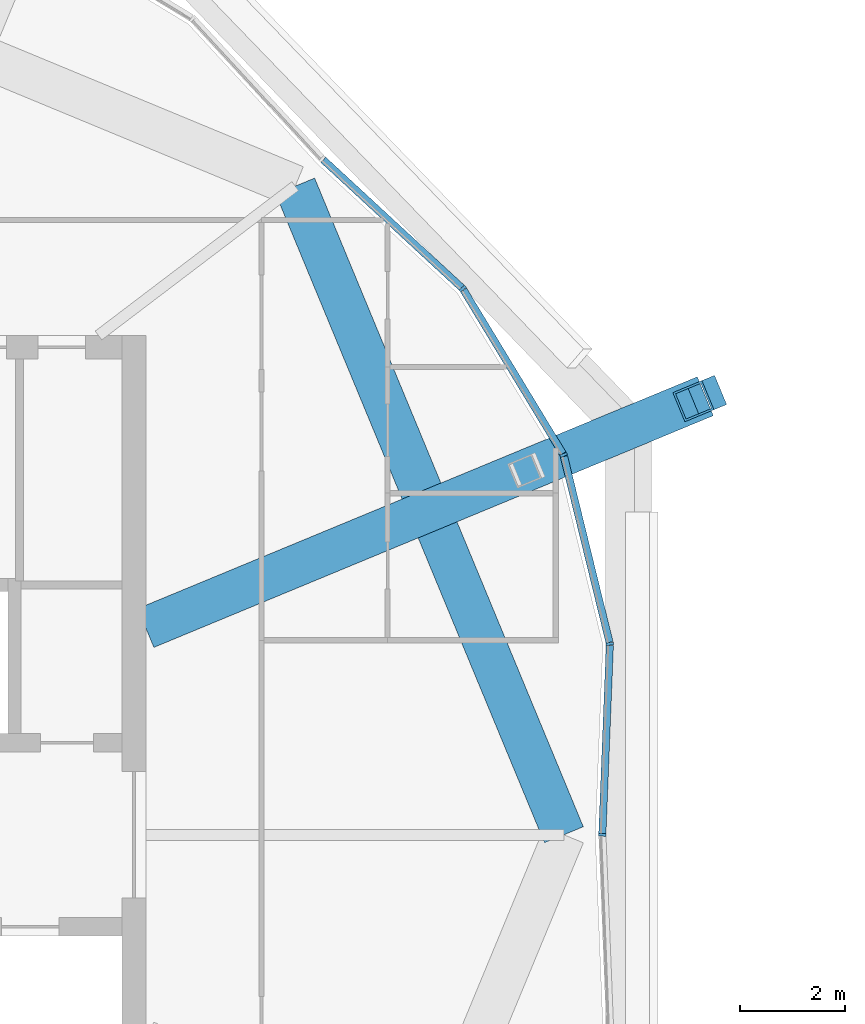
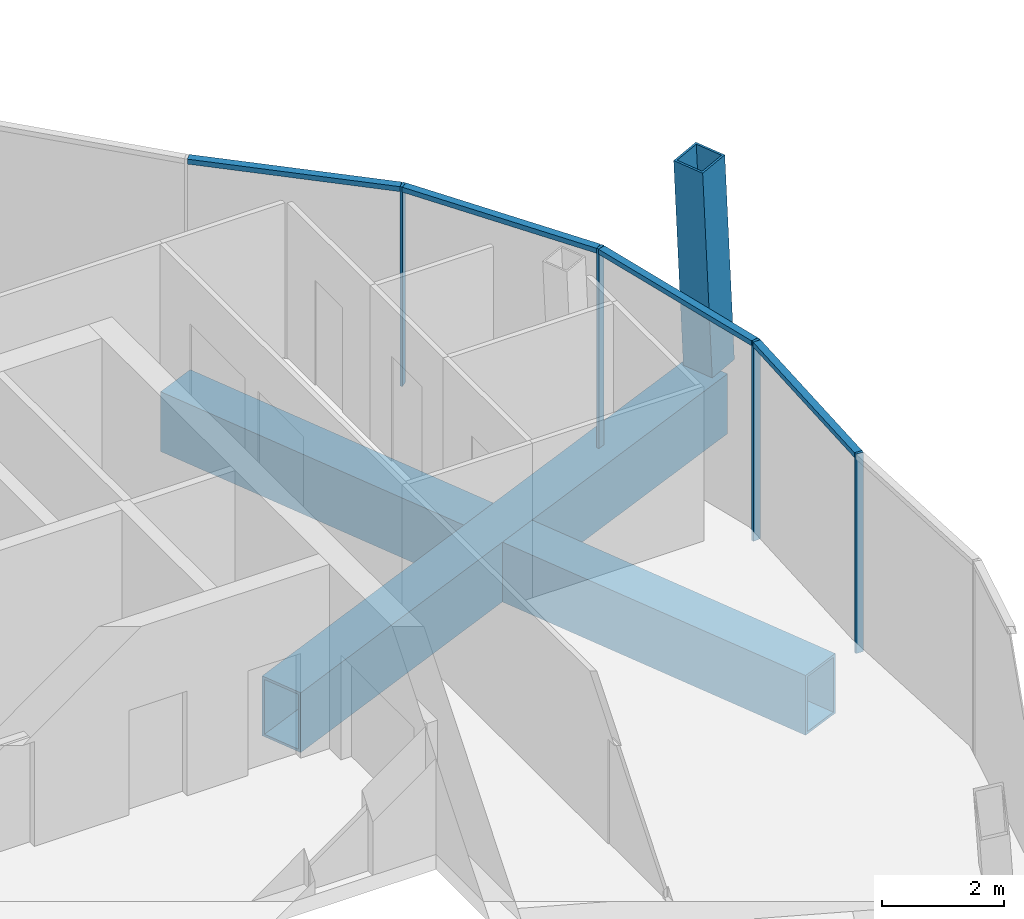
# One storey, part 9 of 34: 9 members, 2 beams, 1 element without a shape of its own.
"""IFC4 building model written with IfcOpenShell, lengths in metres."""

from ifc_helpers import new_model, si_unit, direction, frame, origin, origin_2d, place, context, subcontext, project, spatial, rectangle, hollow_rectangle, extrude, material, material_profile, profile_set, type_object, element, aggregate, save


model = new_model("IFC4")

# Units and contexts
model_context = context("Model", 3, precision=1e-05, world=origin(), true_north=direction((0.0, 1.0)))
body_context = subcontext(model_context, "Body", "Model", "MODEL_VIEW")
ifc_project = project(units=[si_unit("LENGTHUNIT", "METRE"), si_unit("AREAUNIT", "SQUARE_METRE"), si_unit("VOLUMEUNIT", "CUBIC_METRE"), si_unit("PLANEANGLEUNIT", "RADIAN"), si_unit("MASSUNIT", "GRAM", prefix="KILO")], contexts=[model_context])

# Site, building, storey
site_placement = place(None, origin())
site = spatial("IfcSite", under=ifc_project, at=site_placement, CompositionType="ELEMENT")
building_placement = place(site_placement, origin())
building = spatial("IfcBuilding", under=site, at=building_placement, Name="Ogive Gate Towers", CompositionType="ELEMENT")
storey_placement = place(building_placement, frame((0.0, 0.0, 294.0)))
storey = spatial("IfcBuildingStorey", under=building, at=storey_placement, Name="L69", CompositionType="ELEMENT", Elevation=294.0)

# Curtain wall, members
ifc_material_1 = material(Name="Pale metal aluminium", Category="aluminium")
curtain_wall_type = type_object("IfcCurtainWallType", Name="Crown lean wall", PredefinedType="NOTDEFINED", material=ifc_material_1)
curtain_wall_placement = place(storey_placement, origin())
curtain_wall = element("IfcCurtainWall", 1, at=curtain_wall_placement, inside=storey, type_object=curtain_wall_type, Name="CW5 T1 ECW01", PredefinedType="NOTDEFINED")
ifc_material_profile_1 = material_profile(ifc_material_1, rectangle(XDim=0.139892578125, YDim=0.050048828125, at=origin_2d()), Name="50 x 140 aluminium box")
ifc_profile_set_1 = profile_set([ifc_material_profile_1], Name="Pale metal aluminium")
member_type_1 = type_object("IfcMemberType", Name="Crown lean wall mullion 50 x 140", PredefinedType="MULLION", material=ifc_profile_set_1)
member_1_placement = place(storey_placement, frame((-20.470703125, 10.3916015625, -0.300048828125), z_axis=(0.0, 0.0, 1.0), x_axis=(-0.77434847103, -0.632759389826, 0.0)))
member_1 = element("IfcMember", 2, at=member_1_placement, type_object=member_type_1, Name="CW5 mullion", PredefinedType="MULLION", context=body_context, shape_type="SweptSolid", body=[
    extrude(rectangle(XDim=0.139892578125, YDim=0.050048828125, at=origin_2d()), origin(), (0.0, 0.0, 1.0), 4.0),
])
member_2_placement = place(storey_placement, frame((-18.551513671875, 7.227294921875, -0.300048828125), z_axis=(0.0, 0.0, 1.0), x_axis=(-0.923879532511, -0.382683432365, 0.0)))
member_2 = element("IfcMember", 3, at=member_2_placement, type_object=member_type_1, Name="CW5 mullion", PredefinedType="MULLION", context=body_context, shape_type="SweptSolid", body=[
    extrude(rectangle(XDim=0.139892578125, YDim=0.050048828125, at=origin_2d()), origin(), (0.0, 0.0, 1.0), 4.0),
])
member_3_placement = place(storey_placement, frame((-17.671142578125, 3.633056640625, -0.300048828125), z_axis=(0.0, 0.0, 1.0), x_axis=(-0.99497725752, -0.100101233848, 0.0)))
member_3 = element("IfcMember", 4, at=member_3_placement, type_object=member_type_1, Name="CW5 mullion", PredefinedType="MULLION", context=body_context, shape_type="SweptSolid", body=[
    extrude(rectangle(XDim=0.139892578125, YDim=0.050048828125, at=origin_2d()), origin(), (0.0, 0.0, 1.0), 4.0),
])
member_4_placement = place(storey_placement, frame((-17.81494140625, -0.001220703125, -0.300048828125), z_axis=(0.0, 0.0, 1.0), x_axis=(-0.999215271104, 0.039608610093, 0.0)))
member_4 = element("IfcMember", 5, at=member_4_placement, type_object=member_type_1, Name="CW5 mullion", PredefinedType="MULLION", context=body_context, shape_type="SweptSolid", body=[
    extrude(rectangle(XDim=0.139892578125, YDim=0.050048828125, at=origin_2d()), origin(), (0.0, 0.0, 1.0), 4.0),
])
ifc_material_profile_2 = material_profile(ifc_material_1, rectangle(XDim=0.139892578125, YDim=0.10009765625, at=origin_2d()), Name="100 x 140 aluminium box")
ifc_profile_set_2 = profile_set([ifc_material_profile_2], Name="Pale metal aluminium")
member_type_2 = type_object("IfcMemberType", Name="Crown lean wall transom 100 x 140", PredefinedType="USERDEFINED", material=ifc_profile_set_2)
member_5_placement = place(storey_placement, frame((-23.123779296875, 12.8427734375, 3.64990234375), z_axis=(0.734557828346, -0.678546090414, 0.0), x_axis=(0.678546090414, 0.734557828346, 0.0)))
member_5 = element("IfcMember", 6, at=member_5_placement, type_object=member_type_2, Name="CW5 transom", ObjectType="TRANSOM", PredefinedType="USERDEFINED", context=body_context, shape_type="SweptSolid", body=[
    extrude(rectangle(XDim=0.139892578125, YDim=0.10009765625, at=origin_2d()), origin(), (0.0, 0.0, 1.0), 3.582763671875),
])
member_6_placement = place(storey_placement, frame((-20.455322265625, 10.36669921875, 3.64990234375), z_axis=(0.518629997302, -0.854998787074, 0.0), x_axis=(0.854998787074, 0.518629997302, 0.0)))
member_6 = element("IfcMember", 7, at=member_6_placement, type_object=member_type_2, Name="CW5 transom", ObjectType="TRANSOM", PredefinedType="USERDEFINED", context=body_context, shape_type="SweptSolid", body=[
    extrude(rectangle(XDim=0.139892578125, YDim=0.10009765625, at=origin_2d()), origin(), (0.0, 0.0, 1.0), 3.64208984375),
])
member_7_placement = place(storey_placement, frame((-18.544189453125, 7.19873046875, 3.64990234375), z_axis=(0.237911321475, -0.971286879925, 0.0), x_axis=(0.971286879925, 0.237911321475, 0.0)))
member_7 = element("IfcMember", 8, at=member_7_placement, type_object=member_type_2, Name="CW5 transom", ObjectType="TRANSOM", PredefinedType="USERDEFINED", context=body_context, shape_type="SweptSolid", body=[
    extrude(rectangle(XDim=0.139892578125, YDim=0.10009765625, at=origin_2d()), origin(), (0.0, 0.0, 1.0), 3.641845703125),
])
member_8_placement = place(storey_placement, frame((-17.672119140625, 3.603759765625, 3.64990234375), z_axis=(-0.039589778104, -0.99921601742, 0.0), x_axis=(0.99921601742, -0.039589778104, 0.0)))
member_8 = element("IfcMember", 9, at=member_8_placement, type_object=member_type_2, Name="CW5 transom", ObjectType="TRANSOM", PredefinedType="USERDEFINED", context=body_context, shape_type="SweptSolid", body=[
    extrude(rectangle(XDim=0.139892578125, YDim=0.10009765625, at=origin_2d()), origin(), (0.0, 0.0, 1.0), 3.5830078125),
])
aggregate(curtain_wall, [member_1, member_5, member_2, member_6, member_3, member_7, member_4, member_8])

# Member
ifc_material_2 = material(Name="Steel SM460", Category="steel")
ifc_material_profile_3 = material_profile(ifc_material_2, hollow_rectangle(XDim=0.60009765625, YDim=0.60009765625, WallThickness=0.0400390625, at=origin_2d()), Name="BX 600x600x40")
ifc_profile_set_3 = profile_set([ifc_material_profile_3], Name="Steel SM460")
member_type_3 = type_object("IfcMemberType", Name="Crown rib BX 600x600x40", PredefinedType="MEMBER", material=ifc_profile_set_3)
member_9_placement = place(storey_placement, frame((-15.840576171875, 8.350341796875, -0.25), z_axis=(-0.056420201971, -0.023393742281, 0.998133003979), x_axis=(0.3830150227, -0.923742113572, 0.0)))
element("IfcMember", 10, at=member_9_placement, inside=storey, type_object=member_type_3, Name="T1/L69/STR001", PredefinedType="MEMBER", context=body_context, shape_type="SweptSolid", body=[
    extrude(hollow_rectangle(XDim=0.60009765625, YDim=0.60009765625, WallThickness=0.0400390625, at=origin_2d()), origin(), (0.0, 0.0, 1.0), 4.258056640625),
])

# Beams
ifc_material_profile_4 = material_profile(ifc_material_2, hollow_rectangle(XDim=0.800048828125, YDim=1.199951171875, WallThickness=0.050048828125, at=origin_2d()), Name="BX 1200x800x50")
ifc_profile_set_4 = profile_set([ifc_material_profile_4], Name="Steel SM460")
beam_type_1 = type_object("IfcBeamType", Name="Edge girder BX 1200x800x50", PredefinedType="BEAM", material=ifc_profile_set_4)
beam_1_placement = place(storey_placement, frame((-18.544921875, 0.0, -0.89990234375), z_axis=(-0.382690191996, 0.923876732551, 0.0), x_axis=(-0.923876732551, -0.382690191996, 0.0)))
element("IfcBeam", 11, at=beam_1_placement, inside=storey, type_object=beam_type_1, Name="T1/L69/SBM028", PredefinedType="BEAM", context=body_context, shape_type="SweptSolid", body=[
    extrude(hollow_rectangle(XDim=0.800048828125, YDim=1.199951171875, WallThickness=0.050048828125, at=origin_2d()), origin(), (0.0, 0.0, 1.0), 13.359619140625),
])
ifc_material_profile_5 = material_profile(ifc_material_2, hollow_rectangle(XDim=0.800048828125, YDim=1.199951171875, WallThickness=0.050048828125, at=origin_2d()), Name="BX 1200x800x50")
ifc_profile_set_5 = profile_set([ifc_material_profile_5], Name="Steel SM460")
beam_type_2 = type_object("IfcBeamType", Name="Transfer radial beam BX 1200x800x50", PredefinedType="BEAM", material=ifc_profile_set_5)
beam_2_placement = place(storey_placement, frame((-26.5, 3.93505859375, -0.89990234375), z_axis=(0.923879187615, 0.382684265017, 0.0), x_axis=(-0.382684265017, 0.923879187615, 0.0)))
element("IfcBeam", 12, at=beam_2_placement, inside=storey, type_object=beam_type_2, Name="T1/L69/SBM016", PredefinedType="BEAM", context=body_context, shape_type="SweptSolid", body=[
    extrude(hollow_rectangle(XDim=0.800048828125, YDim=1.199951171875, WallThickness=0.050048828125, at=origin_2d()), origin(), (0.0, 0.0, 1.0), 11.5224609375),
])

save(model, "model.ifc")
